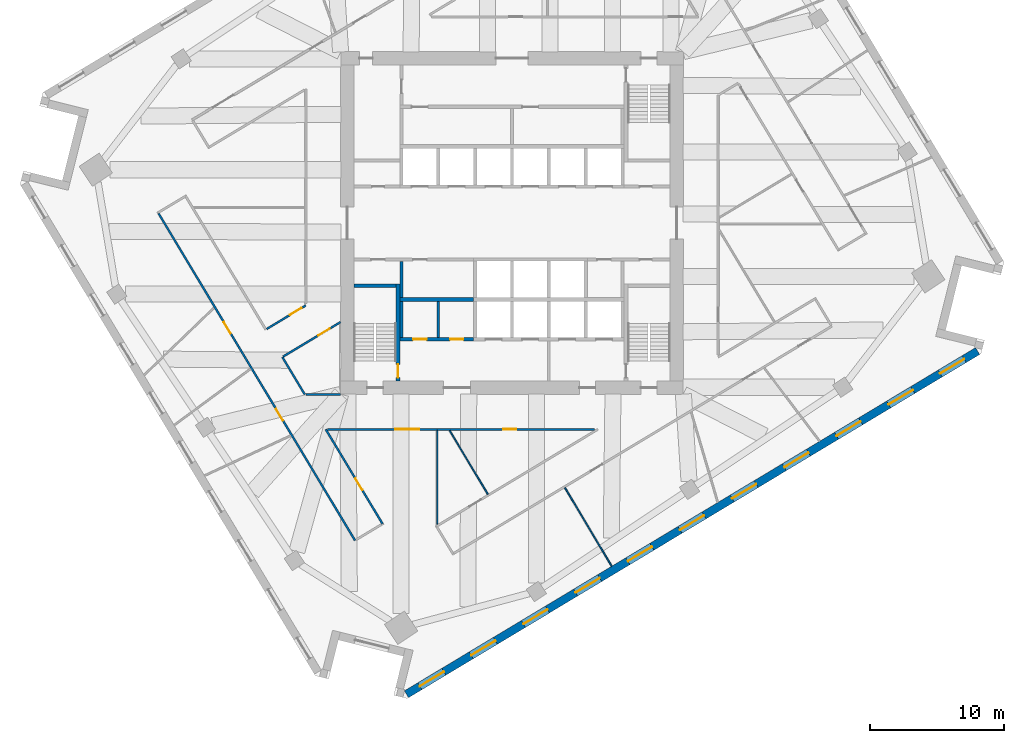
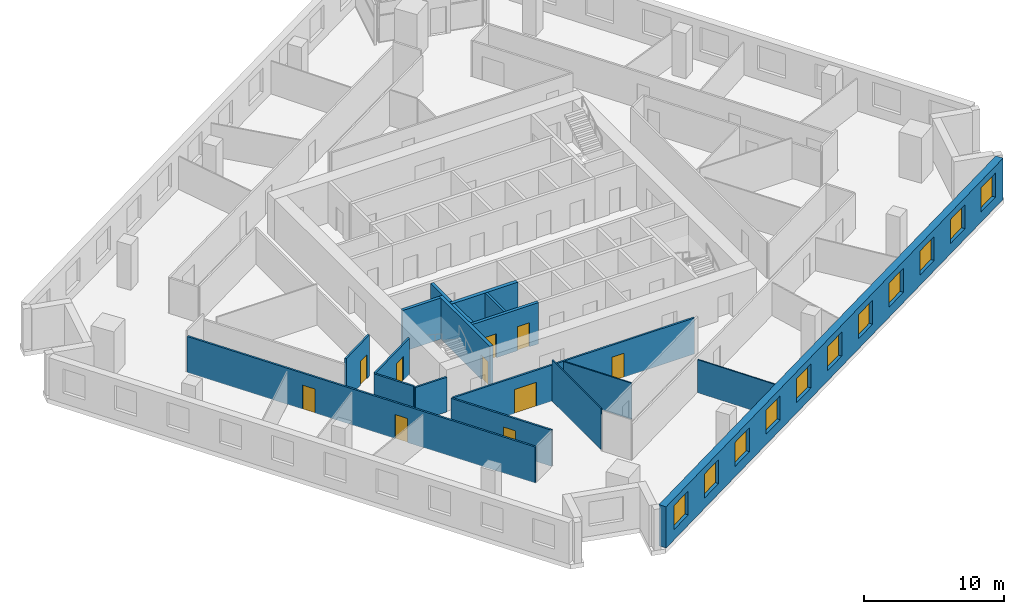
# One storey, part 6 of 14: 18 walls, 11 windows, 10 doors, 21 openings.
"""IFC4 building model written with IfcOpenShell, lengths in metres."""

from ifc_helpers import new_model, si_unit, direction, frame, frame_2d, origin, place, context, subcontext, project, spatial, rectangle, extrude, material, layer, layer_set, type_object, element, fill, save


model = new_model("IFC4")

# Units and contexts
model_context = context("Model", 3, precision=1e-05, world=origin(), true_north=direction((0.0, 1.0)))
body_context = subcontext(model_context, "Body", "Model", "MODEL_VIEW")
ifc_project = project(units=[si_unit("LENGTHUNIT", "METRE"), si_unit("AREAUNIT", "SQUARE_METRE"), si_unit("VOLUMEUNIT", "CUBIC_METRE"), si_unit("PLANEANGLEUNIT", "RADIAN"), si_unit("MASSUNIT", "GRAM", prefix="KILO")], contexts=[model_context])

# Site, building, storey
site_placement = place(None, origin())
site = spatial("IfcSite", under=ifc_project, at=site_placement, CompositionType="ELEMENT")
building_placement = place(site_placement, origin())
building = spatial("IfcBuilding", under=site, at=building_placement, Name="Dilmun Exchange Tower", CompositionType="ELEMENT")
storey_placement = place(building_placement, frame((0.0, 0.0, 151.699951171875)))
storey = spatial("IfcBuildingStorey", under=building, at=storey_placement, Name="L35", CompositionType="ELEMENT", Elevation=151.699951171875)

# Wall
ifc_material_1 = material(Name="Concrete C40/50", Category="concrete")
ifc_layer_1 = layer(ifc_material_1, 0.199951171875)
ifc_layer_set_1 = layer_set([ifc_layer_1], Name="Concrete C40/50")
wall_type_1 = type_object("IfcWallType", Name="Core partition wall 200", PredefinedType="PARTITIONING", material=ifc_layer_set_1)
wall_1_placement = place(storey_placement, frame((-5.5, -8.544921875, 0.0), z_axis=(0.0, 0.0, 1.0), x_axis=(0.0, 1.0, 0.0)))
element("IfcWall", 1, at=wall_1_placement, inside=storey, type_object=wall_type_1, Name="L35 core partition wall 04", PredefinedType="PARTITIONING", context=body_context, shape_type="SweptSolid", body=[
    extrude(rectangle(XDim=2.68994140625, YDim=0.199951171875, at=frame_2d((1.344970703125, 0.0))), origin(), (0.0, 0.0, 1.0), 3.60009765625),
])

# Wall, openings, doors
ifc_layer_2 = layer(ifc_material_1, 0.25)
ifc_layer_set_2 = layer_set([ifc_layer_2], Name="Concrete C40/50")
wall_type_2 = type_object("IfcWallType", Name="Core partition wall 250", PredefinedType="PARTITIONING", material=ifc_layer_set_2)
wall_2_placement = place(storey_placement, frame((-8.3701171875, -8.675048828125, 0.0), z_axis=(0.0, 0.0, 1.0), x_axis=(1.0, 0.0, 0.0)))
wall_2 = element("IfcWall", 2, at=wall_2_placement, inside=storey, type_object=wall_type_2, Name="L35 core partition wall 02", PredefinedType="PARTITIONING", context=body_context, shape_type="SweptSolid", body=[
    extrude(rectangle(XDim=5.490234375, YDim=0.25, at=frame_2d((2.7451171875, 0.0))), origin(), (0.0, 0.0, 1.0), 3.60009765625),
])
opening_1_placement = place(wall_2_placement, frame((0.9951171875, 0.0, 0.0)))
opening_1 = element("IfcOpeningElement", 3, at=opening_1_placement, cuts=wall_2, Name="Opening CD4", PredefinedType="OPENING", context=body_context, shape_type="SweptSolid", body=[
    extrude(rectangle(XDim=1.0, YDim=2.10009765625, at=frame_2d((0.5, 1.050048828125))), frame((0.0, 0.135009765625, 0.0), z_axis=(0.0, -1.0, 0.0), x_axis=(1.0, 0.0, 0.0)), (0.0, 0.0, 1.0), 0.27001953125),
])
opening_2_placement = place(wall_2_placement, frame((3.7451171875, 0.0, 0.0)))
opening_2 = element("IfcOpeningElement", 4, at=opening_2_placement, cuts=wall_2, Name="Opening CD4", PredefinedType="OPENING", context=body_context, shape_type="SweptSolid", body=[
    extrude(rectangle(XDim=1.0, YDim=2.10009765625, at=frame_2d((0.5, 1.050048828125))), frame((0.0, 0.135009765625, 0.0), z_axis=(0.0, -1.0, 0.0), x_axis=(1.0, 0.0, 0.0)), (0.0, 0.0, 1.0), 0.27001953125),
])
ifc_material_2 = material(Name="Fire-rated steel door set", Category="steel")
door_type_1 = type_object("IfcDoorType", Name="Core room door 1000x2100", OperationType="SINGLE_SWING_LEFT", PredefinedType="DOOR", material=ifc_material_2)
door_1_placement = place(opening_1_placement, origin())
door_1 = element("IfcDoor", 5, at=door_1_placement, inside=storey, type_object=door_type_1, Name="L35 door Male WC", OperationType="SINGLE_SWING_RIGHT", OverallHeight=2.10009765625, OverallWidth=1.0, PredefinedType="DOOR", context=body_context, shape_type="SweptSolid", body=[
    extrude(rectangle(XDim=1.0, YDim=2.10009765625, at=frame_2d((0.5, 1.050048828125))), frame((0.0, 0.02490234375, 0.0), z_axis=(0.0, -1.0, 0.0), x_axis=(1.0, 0.0, 0.0)), (0.0, 0.0, 1.0), 0.050048828125),
])
fill(opening_1, door_1)
door_2_placement = place(opening_2_placement, origin())
door_2 = element("IfcDoor", 6, at=door_2_placement, inside=storey, type_object=door_type_1, Name="L35 door Female WC", OperationType="SINGLE_SWING_RIGHT", OverallHeight=2.10009765625, OverallWidth=1.0, PredefinedType="DOOR", context=body_context, shape_type="SweptSolid", body=[
    extrude(rectangle(XDim=1.0, YDim=2.10009765625, at=frame_2d((0.5, 1.050048828125))), frame((0.0, 0.02490234375, 0.0), z_axis=(0.0, -1.0, 0.0), x_axis=(1.0, 0.0, 0.0)), (0.0, 0.0, 1.0), 0.050048828125),
])
fill(opening_2, door_2)

# Walls
for number, where, z_axis, x_axis, name in (
    (7, (-8.25, -8.544921875, 0.0), (0.0, 0.0, 1.0), (0.0, 1.0, 0.0), "L35 core partition wall 03"),
    (8, (-8.25, -5.544921875, 0.0), (0.0, 0.0, 1.0), (0.0, 1.0, 0.0), "L35 core partition wall 06"),
):
    element("IfcWall", number, at=place(storey_placement, frame(where, z_axis=z_axis, x_axis=x_axis)), inside=storey, type_object=wall_type_2, Name=name, PredefinedType="PARTITIONING", context=body_context, shape_type="SweptSolid", body=[
        extrude(rectangle(XDim=2.68994140625, YDim=0.25, at=frame_2d((1.344970703125, 0.0))), origin(), (0.0, 0.0, 1.0), 3.60009765625),
    ])
ifc_layer_3 = layer(ifc_material_1, 0.300048828125)
ifc_layer_set_3 = layer_set([ifc_layer_3], Name="Concrete C40/50")
wall_type_3 = type_object("IfcWallType", Name="Core partition wall 300", PredefinedType="PARTITIONING", material=ifc_layer_set_3)
wall_3_placement = place(storey_placement, frame((-8.35009765625, -5.699951171875, 0.0), z_axis=(0.0, 0.0, 1.0), x_axis=(1.0, 0.0, 0.0)))
element("IfcWall", 9, at=wall_3_placement, inside=storey, type_object=wall_type_3, Name="L35 core partition wall 05", PredefinedType="PARTITIONING", context=body_context, shape_type="SweptSolid", body=[
    extrude(rectangle(XDim=5.47021484375, YDim=0.300048828125, at=frame_2d((2.735107421875, 0.0))), origin(), (0.0, 0.0, 1.0), 3.60009765625),
])

# Wall, openings, doors
ifc_material_3 = material(Name="Corridor wall 150")
ifc_layer_4 = layer(ifc_material_3, 0.14990234375)
ifc_layer_set_4 = layer_set([ifc_layer_4], Name="Corridor wall 150")
wall_type_4 = type_object("IfcWallType", Name="Corridor wall 150", PredefinedType="PARTITIONING", material=ifc_layer_set_4)
wall_4_placement = place(storey_placement, frame((-26.388427734375, 0.710693359375, 0.0), z_axis=(0.0, 0.0, 1.0), x_axis=(0.515060503771, -0.857153823684, 0.0)))
wall_4 = element("IfcWall", 10, at=wall_4_placement, inside=storey, type_object=wall_type_4, Name="Corridor wall", PredefinedType="PARTITIONING", context=body_context, shape_type="SweptSolid", body=[
    extrude(rectangle(XDim=28.475341796875, YDim=0.14990234375, at=frame_2d((14.23779296875, 0.0))), origin(), (0.0, 0.0, 1.0), 3.150146484375),
])
opening_3_placement = place(wall_4_placement, frame((9.447265625, 0.0, 0.0)))
opening_3 = element("IfcOpeningElement", 11, at=opening_3_placement, cuts=wall_4, Name="Opening TF34-D03", PredefinedType="OPENING", context=body_context, shape_type="SweptSolid", body=[
    extrude(rectangle(XDim=1.0, YDim=2.10009765625, at=frame_2d((0.5, 1.050048828125))), frame((0.0, 0.0849609375, 0.0), z_axis=(0.0, -1.0, 0.0), x_axis=(1.0, 0.0, 0.0)), (0.0, 0.0, 1.0), 0.169921875),
])
opening_4_placement = place(wall_4_placement, frame((17.020751953125, 0.0, 0.0)))
opening_4 = element("IfcOpeningElement", 12, at=opening_4_placement, cuts=wall_4, Name="Opening TF34-D04", PredefinedType="OPENING", context=body_context, shape_type="SweptSolid", body=[
    extrude(rectangle(XDim=1.0, YDim=2.10009765625, at=frame_2d((0.5, 1.050048828125))), frame((0.0, 0.0849609375, 0.0), z_axis=(0.0, -1.0, 0.0), x_axis=(1.0, 0.0, 0.0)), (0.0, 0.0, 1.0), 0.169921875),
])
ifc_material_4 = material(Name="Fire door 1000 x 2100")
door_type_2 = type_object("IfcDoorType", Name="Fire door 1000 x 2100", OperationType="NOTDEFINED", PredefinedType="DOOR", material=ifc_material_4)
door_3_placement = place(opening_3_placement, frame((1.0, 0.0, 0.0), z_axis=(0.0, 0.0, 1.0), x_axis=(-1.0, 0.0, 0.0)))
door_3 = element("IfcDoor", 13, at=door_3_placement, inside=storey, type_object=door_type_2, Name="Door TF34-D03", OperationType="SINGLE_SWING_RIGHT", OverallHeight=2.10009765625, OverallWidth=1.0, PredefinedType="DOOR", context=body_context, shape_type="SweptSolid", body=[
    extrude(rectangle(XDim=1.0, YDim=2.10009765625, at=frame_2d((0.5, 1.050048828125))), frame((0.0, 0.02490234375, 0.0), z_axis=(0.0, -1.0, 0.0), x_axis=(1.0, 0.0, 0.0)), (0.0, 0.0, 1.0), 0.050048828125),
])
fill(opening_3, door_3)
door_4_placement = place(opening_4_placement, frame((1.0, 0.0, 0.0), z_axis=(0.0, 0.0, 1.0), x_axis=(-1.0, 0.0, 0.0)))
door_4 = element("IfcDoor", 14, at=door_4_placement, inside=storey, type_object=door_type_2, Name="Door TF34-D04", OperationType="SINGLE_SWING_LEFT", OverallHeight=2.10009765625, OverallWidth=1.0, PredefinedType="DOOR", context=body_context, shape_type="SweptSolid", body=[
    extrude(rectangle(XDim=1.0, YDim=2.10009765625, at=frame_2d((0.5, 1.050048828125))), frame((0.0, 0.02490234375, 0.0), z_axis=(0.0, -1.0, 0.0), x_axis=(1.0, 0.0, 0.0)), (0.0, 0.0, 1.0), 0.050048828125),
])
fill(opening_4, door_4)

# Wall, opening, door
wall_5_placement = place(storey_placement, frame((-18.32080078125, -7.911376953125, 0.0), z_axis=(0.0, 0.0, 1.0), x_axis=(0.857126069009, 0.51510668975, 0.0)))
wall_5 = element("IfcWall", 15, at=wall_5_placement, inside=storey, type_object=wall_type_4, Name="Corridor wall", PredefinedType="PARTITIONING", context=body_context, shape_type="SweptSolid", body=[
    extrude(rectangle(XDim=3.40771484375, YDim=0.14990234375, at=frame_2d((1.703857421875, 0.0))), origin(), (0.0, 0.0, 1.0), 3.60009765625),
])
opening_5_placement = place(wall_5_placement, frame((2.050048828125, 0.0, 0.0)))
opening_5 = element("IfcOpeningElement", 16, at=opening_5_placement, cuts=wall_5, Name="Opening TF34-D05", PredefinedType="OPENING", context=body_context, shape_type="SweptSolid", body=[
    extrude(rectangle(XDim=1.0, YDim=2.10009765625, at=frame_2d((0.5, 1.050048828125))), frame((0.0, 0.0849609375, 0.0), z_axis=(0.0, -1.0, 0.0), x_axis=(1.0, 0.0, 0.0)), (0.0, 0.0, 1.0), 0.169921875),
])
door_5_placement = place(opening_5_placement, origin())
door_5 = element("IfcDoor", 17, at=door_5_placement, inside=storey, type_object=door_type_2, Name="Door TF34-D05", OperationType="SINGLE_SWING_LEFT", OverallHeight=2.10009765625, OverallWidth=1.0, PredefinedType="DOOR", context=body_context, shape_type="SweptSolid", body=[
    extrude(rectangle(XDim=1.0, YDim=2.10009765625, at=frame_2d((0.5, 1.050048828125))), frame((0.0, 0.02490234375, 0.0), z_axis=(0.0, -1.0, 0.0), x_axis=(1.0, 0.0, 0.0)), (0.0, 0.0, 1.0), 0.050048828125),
])
fill(opening_5, door_5)

# Wall
wall_6_placement = place(storey_placement, frame((-17.14892578125, -10.007080078125, 0.0), z_axis=(0.0, 0.0, 1.0), x_axis=(0.515211704808, -0.857062949397, 0.0)))
element("IfcWall", 18, at=wall_6_placement, inside=storey, type_object=wall_type_4, Name="Corridor wall", PredefinedType="PARTITIONING", context=body_context, shape_type="SweptSolid", body=[
    extrude(rectangle(XDim=3.2587890625, YDim=0.14990234375, at=frame_2d((1.62939453125, 0.0))), origin(), (0.0, 0.0, 1.0), 3.150146484375),
])

# Wall, opening, door
wall_7_placement = place(storey_placement, frame((-17.084716796875, -9.968505859375, 0.0), z_axis=(0.0, 0.0, 1.0), x_axis=(0.857169540237, 0.515034347681, 0.0)))
wall_7 = element("IfcWall", 19, at=wall_7_placement, inside=storey, type_object=wall_type_4, Name="Corridor wall", PredefinedType="PARTITIONING", context=body_context, shape_type="SweptSolid", body=[
    extrude(rectangle(XDim=4.99853515625, YDim=0.14990234375, at=frame_2d((2.499267578125, 0.0))), origin(), (0.0, 0.0, 1.0), 3.150146484375),
])
opening_6_placement = place(wall_7_placement, frame((3.050048828125, 0.0, 0.0)))
opening_6 = element("IfcOpeningElement", 20, at=opening_6_placement, cuts=wall_7, Name="Opening TF34-D06", PredefinedType="OPENING", context=body_context, shape_type="SweptSolid", body=[
    extrude(rectangle(XDim=1.0, YDim=2.10009765625, at=frame_2d((0.5, 1.050048828125))), frame((0.0, 0.0849609375, 0.0), z_axis=(0.0, -1.0, 0.0), x_axis=(1.0, 0.0, 0.0)), (0.0, 0.0, 1.0), 0.169921875),
])
door_6_placement = place(opening_6_placement, frame((1.0, 0.0, 0.0), z_axis=(0.0, 0.0, 1.0), x_axis=(-1.0, 0.0, 0.0)))
door_6 = element("IfcDoor", 21, at=door_6_placement, inside=storey, type_object=door_type_2, Name="Door TF34-D06", OperationType="SINGLE_SWING_RIGHT", OverallHeight=2.10009765625, OverallWidth=1.0, PredefinedType="DOOR", context=body_context, shape_type="SweptSolid", body=[
    extrude(rectangle(XDim=1.0, YDim=2.10009765625, at=frame_2d((0.5, 1.050048828125))), frame((0.0, 0.02490234375, 0.0), z_axis=(0.0, -1.0, 0.0), x_axis=(1.0, 0.0, 0.0)), (0.0, 0.0, 1.0), 0.050048828125),
])
fill(opening_6, door_6)

# Wall
wall_8_placement = place(storey_placement, frame((-15.39990234375, -12.800048828125, 0.0), z_axis=(0.0, 0.0, 1.0), x_axis=(1.0, 0.0, 0.0)))
element("IfcWall", 22, at=wall_8_placement, inside=storey, type_object=wall_type_4, Name="Corridor wall", PredefinedType="PARTITIONING", context=body_context, shape_type="SweptSolid", body=[
    extrude(rectangle(XDim=2.599853515625, YDim=0.14990234375, at=frame_2d((1.2998046875, 0.0))), origin(), (0.0, 0.0, 1.0), 3.030029296875),
])

# Wall, opening, door
wall_9_placement = place(storey_placement, frame((-13.907958984375, -15.39990234375, 0.0), z_axis=(0.0, 0.0, 1.0), x_axis=(0.515057872285, -0.857155404928, 0.0)))
wall_9 = element("IfcWall", 23, at=wall_9_placement, inside=storey, type_object=wall_type_4, Name="Corridor wall", PredefinedType="PARTITIONING", context=body_context, shape_type="SweptSolid", body=[
    extrude(rectangle(XDim=8.23779296875, YDim=0.14990234375, at=frame_2d((4.118896484375, 0.0))), origin(), (0.0, 0.0, 1.0), 3.150146484375),
])
opening_7_placement = place(wall_9_placement, frame((4.300048828125, 0.0, 0.0)))
opening_7 = element("IfcOpeningElement", 24, at=opening_7_placement, cuts=wall_9, Name="Opening TF34-D09", PredefinedType="OPENING", context=body_context, shape_type="SweptSolid", body=[
    extrude(rectangle(XDim=1.0, YDim=2.10009765625, at=frame_2d((0.5, 1.050048828125))), frame((0.0, 0.0849609375, 0.0), z_axis=(0.0, -1.0, 0.0), x_axis=(1.0, 0.0, 0.0)), (0.0, 0.0, 1.0), 0.169921875),
])
door_7_placement = place(opening_7_placement, origin())
door_7 = element("IfcDoor", 25, at=door_7_placement, inside=storey, type_object=door_type_2, Name="Door TF34-D09", OperationType="SINGLE_SWING_LEFT", OverallHeight=2.10009765625, OverallWidth=1.0, PredefinedType="DOOR", context=body_context, shape_type="SweptSolid", body=[
    extrude(rectangle(XDim=1.0, YDim=2.10009765625, at=frame_2d((0.5, 1.050048828125))), frame((0.0, 0.02490234375, 0.0), z_axis=(0.0, -1.0, 0.0), x_axis=(1.0, 0.0, 0.0)), (0.0, 0.0, 1.0), 0.050048828125),
])
fill(opening_7, door_7)

# Wall, openings, doors
wall_10_placement = place(storey_placement, frame((-13.775390625, -15.39990234375, 0.0), z_axis=(0.0, 0.0, 1.0), x_axis=(1.0, 0.0, 0.0)))
wall_10 = element("IfcWall", 26, at=wall_10_placement, inside=storey, type_object=wall_type_4, Name="Corridor wall", PredefinedType="PARTITIONING", context=body_context, shape_type="SweptSolid", body=[
    extrude(rectangle(XDim=19.9169921875, YDim=0.14990234375, at=frame_2d((9.95849609375, 0.0))), origin(), (0.0, 0.0, 1.0), 3.150146484375),
])
opening_8_placement = place(wall_10_placement, frame((5.050048828125, 0.0, 0.0)))
opening_8 = element("IfcOpeningElement", 27, at=opening_8_placement, cuts=wall_10, Name="Opening TF34-D08", PredefinedType="OPENING", context=body_context, shape_type="SweptSolid", body=[
    extrude(rectangle(XDim=1.800048828125, YDim=2.10009765625, at=frame_2d((0.89990234375, 1.050048828125))), frame((0.0, 0.0849609375, 0.0), z_axis=(0.0, -1.0, 0.0), x_axis=(1.0, 0.0, 0.0)), (0.0, 0.0, 1.0), 0.169921875),
])
opening_9_placement = place(wall_10_placement, frame((13.1103515625, 0.0, 0.0)))
opening_9 = element("IfcOpeningElement", 28, at=opening_9_placement, cuts=wall_10, Name="Opening TF34-D13", PredefinedType="OPENING", context=body_context, shape_type="SweptSolid", body=[
    extrude(rectangle(XDim=1.0, YDim=2.10009765625, at=frame_2d((0.5, 1.050048828125))), frame((0.0, 0.0849609375, 0.0), z_axis=(0.0, -1.0, 0.0), x_axis=(1.0, 0.0, 0.0)), (0.0, 0.0, 1.0), 0.169921875),
])
door_8_placement = place(opening_9_placement, frame((1.0, 0.0, 0.0), z_axis=(0.0, 0.0, 1.0), x_axis=(-1.0, 0.0, 0.0)))
door_8 = element("IfcDoor", 29, at=door_8_placement, inside=storey, type_object=door_type_2, Name="Door TF34-D13", OperationType="SINGLE_SWING_LEFT", OverallHeight=2.10009765625, OverallWidth=1.0, PredefinedType="DOOR", context=body_context, shape_type="SweptSolid", body=[
    extrude(rectangle(XDim=1.0, YDim=2.10009765625, at=frame_2d((0.5, 1.050048828125))), frame((0.0, 0.02490234375, 0.0), z_axis=(0.0, -1.0, 0.0), x_axis=(1.0, 0.0, 0.0)), (0.0, 0.0, 1.0), 0.050048828125),
])
fill(opening_9, door_8)
ifc_material_5 = material(Name="Fire door pair 1800 x 2100")
door_type_3 = type_object("IfcDoorType", Name="Fire door pair 1800 x 2100", OperationType="NOTDEFINED", PredefinedType="DOOR", material=ifc_material_5)
door_9_placement = place(opening_8_placement, frame((1.800048828125, 0.0, 0.0), z_axis=(0.0, 0.0, 1.0), x_axis=(-1.0, 0.0, 0.0)))
door_9 = element("IfcDoor", 30, at=door_9_placement, inside=storey, type_object=door_type_3, Name="Door TF34-D08", OperationType="DOUBLE_DOOR_SINGLE_SWING", OverallHeight=2.10009765625, OverallWidth=1.800048828125, PredefinedType="DOOR", context=body_context, shape_type="SweptSolid", body=[
    extrude(rectangle(XDim=1.800048828125, YDim=2.10009765625, at=frame_2d((0.89990234375, 1.050048828125))), frame((0.0, 0.02490234375, 0.0), z_axis=(0.0, -1.0, 0.0), x_axis=(1.0, 0.0, 0.0)), (0.0, 0.0, 1.0), 0.050048828125),
])
fill(opening_8, door_9)

# Walls
ifc_material_6 = material(Name="Partition 100")
ifc_layer_5 = layer(ifc_material_6, 0.10009765625)
ifc_layer_set_5 = layer_set([ifc_layer_5], Name="Partition 100")
wall_type_5 = type_object("IfcWallType", Name="Partition 100", PredefinedType="PARTITIONING", material=ifc_layer_set_5)
wall_11_placement = place(storey_placement, frame((-5.5830078125, -22.489501953125, 0.0), z_axis=(0.0, 0.0, 1.0), x_axis=(0.0, 1.0, 0.0)))
element("IfcWall", 31, at=wall_11_placement, inside=storey, type_object=wall_type_5, Name="Partition", PredefinedType="PARTITIONING", context=body_context, shape_type="SweptSolid", body=[
    extrude(rectangle(XDim=7.014404296875, YDim=0.10009765625, at=frame_2d((3.50732421875, 0.0))), origin(), (0.0, 0.0, 1.0), 3.60009765625),
])
wall_12_placement = place(storey_placement, frame((-4.654296875, -15.500732421875, 0.0), z_axis=(0.0, 0.0, 1.0), x_axis=(0.515098514844, -0.857130981826, 0.0)))
element("IfcWall", 32, at=wall_12_placement, inside=storey, type_object=wall_type_5, Name="Partition", PredefinedType="PARTITIONING", context=body_context, shape_type="SweptSolid", body=[
    extrude(rectangle(XDim=5.538330078125, YDim=0.10009765625, at=frame_2d((2.76904296875, 0.0))), origin(), (0.0, 0.0, 1.0), 3.150146484375),
])
wall_13_placement = place(storey_placement, frame((3.95458984375, -19.7646484375, 0.0), z_axis=(0.0, 0.0, 1.0), x_axis=(0.511760762336, -0.859128001018, 0.0)))
element("IfcWall", 33, at=wall_13_placement, inside=storey, type_object=wall_type_5, Name="Partition", PredefinedType="PARTITIONING", context=body_context, shape_type="SweptSolid", body=[
    extrude(rectangle(XDim=6.819580078125, YDim=0.10009765625, at=frame_2d((3.40966796875, 0.0))), origin(), (0.0, 0.0, 1.0), 2.900146484375),
])

# Wall, openings, windows
ifc_material_7 = material(Name="Precast concrete C50/60", Category="concrete")
ifc_layer_6 = layer(ifc_material_7, 0.60009765625)
ifc_layer_set_6 = layer_set([ifc_layer_6], Name="Precast concrete C50/60")
wall_type_6 = type_object("IfcWallType", Name="Precast stone-clad wall 600", PredefinedType="STANDARD", material=ifc_layer_set_6)
wall_14_placement = place(storey_placement, frame((-7.880126953125, -35.18408203125, 0.0), z_axis=(0.0, 0.0, 1.0), x_axis=(0.857165846238, 0.515040495536, 0.0)))
wall_14 = element("IfcWall", 34, at=wall_14_placement, inside=storey, type_object=wall_type_6, Name="Facade wall L35-15", PredefinedType="STANDARD", context=body_context, shape_type="SweptSolid", body=[
    extrude(rectangle(XDim=49.75146484375, YDim=0.60009765625, at=frame_2d((24.875732421875, 0.0))), origin(), (0.0, 0.0, 1.0), 3.60009765625),
])
opening_10_placement = place(wall_14_placement, frame((1.16064453125, 0.0, 0.89990234375)))
opening_10 = element("IfcOpeningElement", 35, at=opening_10_placement, cuts=wall_14, Name="Opening W210-210", PredefinedType="OPENING", context=body_context, shape_type="SweptSolid", body=[
    extrude(rectangle(XDim=2.10009765625, YDim=2.10009765625, at=frame_2d((1.050048828125, 1.050048828125))), frame((0.0, 0.31005859375, 0.0), z_axis=(0.0, -1.0, 0.0), x_axis=(1.0, 0.0, 0.0)), (0.0, 0.0, 1.0), 0.6201171875),
])
opening_11_placement = place(wall_14_placement, frame((5.643798828125, 0.0, 0.89990234375)))
opening_11 = element("IfcOpeningElement", 36, at=opening_11_placement, cuts=wall_14, Name="Opening W210-210", PredefinedType="OPENING", context=body_context, shape_type="SweptSolid", body=[
    extrude(rectangle(XDim=2.10009765625, YDim=2.10009765625, at=frame_2d((1.050048828125, 1.050048828125))), frame((0.0, 0.31005859375, 0.0), z_axis=(0.0, -1.0, 0.0), x_axis=(1.0, 0.0, 0.0)), (0.0, 0.0, 1.0), 0.6201171875),
])
opening_12_placement = place(wall_14_placement, frame((10.189453125, 0.0, 0.89990234375)))
opening_12 = element("IfcOpeningElement", 37, at=opening_12_placement, cuts=wall_14, Name="Opening W210-210", PredefinedType="OPENING", context=body_context, shape_type="SweptSolid", body=[
    extrude(rectangle(XDim=2.10009765625, YDim=2.10009765625, at=frame_2d((1.050048828125, 1.050048828125))), frame((0.0, 0.31005859375, 0.0), z_axis=(0.0, -1.0, 0.0), x_axis=(1.0, 0.0, 0.0)), (0.0, 0.0, 1.0), 0.6201171875),
])
opening_13_placement = place(wall_14_placement, frame((14.73486328125, 0.0, 0.89990234375)))
opening_13 = element("IfcOpeningElement", 38, at=opening_13_placement, cuts=wall_14, Name="Opening W210-210", PredefinedType="OPENING", context=body_context, shape_type="SweptSolid", body=[
    extrude(rectangle(XDim=2.10009765625, YDim=2.10009765625, at=frame_2d((1.050048828125, 1.050048828125))), frame((0.0, 0.31005859375, 0.0), z_axis=(0.0, -1.0, 0.0), x_axis=(1.0, 0.0, 0.0)), (0.0, 0.0, 1.0), 0.6201171875),
])
opening_14_placement = place(wall_14_placement, frame((19.2802734375, 0.0, 0.89990234375)))
opening_14 = element("IfcOpeningElement", 39, at=opening_14_placement, cuts=wall_14, Name="Opening W210-210", PredefinedType="OPENING", context=body_context, shape_type="SweptSolid", body=[
    extrude(rectangle(XDim=2.10009765625, YDim=2.10009765625, at=frame_2d((1.050048828125, 1.050048828125))), frame((0.0, 0.31005859375, 0.0), z_axis=(0.0, -1.0, 0.0), x_axis=(1.0, 0.0, 0.0)), (0.0, 0.0, 1.0), 0.6201171875),
])
opening_15_placement = place(wall_14_placement, frame((23.82568359375, 0.0, 0.89990234375)))
opening_15 = element("IfcOpeningElement", 40, at=opening_15_placement, cuts=wall_14, Name="Opening W210-210", PredefinedType="OPENING", context=body_context, shape_type="SweptSolid", body=[
    extrude(rectangle(XDim=2.10009765625, YDim=2.10009765625, at=frame_2d((1.050048828125, 1.050048828125))), frame((0.0, 0.31005859375, 0.0), z_axis=(0.0, -1.0, 0.0), x_axis=(1.0, 0.0, 0.0)), (0.0, 0.0, 1.0), 0.6201171875),
])
opening_16_placement = place(wall_14_placement, frame((28.37109375, 0.0, 0.89990234375)))
opening_16 = element("IfcOpeningElement", 41, at=opening_16_placement, cuts=wall_14, Name="Opening W210-210", PredefinedType="OPENING", context=body_context, shape_type="SweptSolid", body=[
    extrude(rectangle(XDim=2.10009765625, YDim=2.10009765625, at=frame_2d((1.050048828125, 1.050048828125))), frame((0.0, 0.31005859375, 0.0), z_axis=(0.0, -1.0, 0.0), x_axis=(1.0, 0.0, 0.0)), (0.0, 0.0, 1.0), 0.6201171875),
])
opening_17_placement = place(wall_14_placement, frame((32.91650390625, 0.0, 0.89990234375)))
opening_17 = element("IfcOpeningElement", 42, at=opening_17_placement, cuts=wall_14, Name="Opening W210-210", PredefinedType="OPENING", context=body_context, shape_type="SweptSolid", body=[
    extrude(rectangle(XDim=2.10009765625, YDim=2.10009765625, at=frame_2d((1.050048828125, 1.050048828125))), frame((0.0, 0.31005859375, 0.0), z_axis=(0.0, -1.0, 0.0), x_axis=(1.0, 0.0, 0.0)), (0.0, 0.0, 1.0), 0.6201171875),
])
opening_18_placement = place(wall_14_placement, frame((37.462158203125, 0.0, 0.89990234375)))
opening_18 = element("IfcOpeningElement", 43, at=opening_18_placement, cuts=wall_14, Name="Opening W210-210", PredefinedType="OPENING", context=body_context, shape_type="SweptSolid", body=[
    extrude(rectangle(XDim=2.10009765625, YDim=2.10009765625, at=frame_2d((1.050048828125, 1.050048828125))), frame((0.0, 0.31005859375, 0.0), z_axis=(0.0, -1.0, 0.0), x_axis=(1.0, 0.0, 0.0)), (0.0, 0.0, 1.0), 0.6201171875),
])
opening_19_placement = place(wall_14_placement, frame((42.007568359375, 0.0, 0.89990234375)))
opening_19 = element("IfcOpeningElement", 44, at=opening_19_placement, cuts=wall_14, Name="Opening W210-210", PredefinedType="OPENING", context=body_context, shape_type="SweptSolid", body=[
    extrude(rectangle(XDim=2.10009765625, YDim=2.10009765625, at=frame_2d((1.050048828125, 1.050048828125))), frame((0.0, 0.31005859375, 0.0), z_axis=(0.0, -1.0, 0.0), x_axis=(1.0, 0.0, 0.0)), (0.0, 0.0, 1.0), 0.6201171875),
])
opening_20_placement = place(wall_14_placement, frame((46.490966796875, 0.0, 0.89990234375)))
opening_20 = element("IfcOpeningElement", 45, at=opening_20_placement, cuts=wall_14, Name="Opening W210-210", PredefinedType="OPENING", context=body_context, shape_type="SweptSolid", body=[
    extrude(rectangle(XDim=2.10009765625, YDim=2.10009765625, at=frame_2d((1.050048828125, 1.050048828125))), frame((0.0, 0.31005859375, 0.0), z_axis=(0.0, -1.0, 0.0), x_axis=(1.0, 0.0, 0.0)), (0.0, 0.0, 1.0), 0.6201171875),
])
ifc_material_8 = material(Name="Clear low-emissivity glass in aluminium frame", Category="aluminium")
window_type = type_object("IfcWindowType", Name="Punched window 2100 x 2100", PartitioningType="DOUBLE_PANEL_VERTICAL", PredefinedType="WINDOW", material=ifc_material_8)
window_1_placement = place(opening_10_placement, origin())
window_1 = element("IfcWindow", 46, at=window_1_placement, inside=storey, type_object=window_type, Name="Window 16.1", OverallHeight=2.10009765625, OverallWidth=2.10009765625, PartitioningType="SINGLE_PANEL", PredefinedType="WINDOW", context=body_context, shape_type="SweptSolid", body=[
    extrude(rectangle(XDim=2.10009765625, YDim=2.10009765625, at=frame_2d((1.050048828125, 1.050048828125))), frame((0.0, 0.030029296875, 0.0), z_axis=(0.0, -1.0, 0.0), x_axis=(1.0, 0.0, 0.0)), (0.0, 0.0, 1.0), 0.06005859375),
])
fill(opening_10, window_1)
window_2_placement = place(opening_11_placement, origin())
window_2 = element("IfcWindow", 47, at=window_2_placement, inside=storey, type_object=window_type, Name="Window 16.2", OverallHeight=2.10009765625, OverallWidth=2.10009765625, PartitioningType="SINGLE_PANEL", PredefinedType="WINDOW", context=body_context, shape_type="SweptSolid", body=[
    extrude(rectangle(XDim=2.10009765625, YDim=2.10009765625, at=frame_2d((1.050048828125, 1.050048828125))), frame((0.0, 0.030029296875, 0.0), z_axis=(0.0, -1.0, 0.0), x_axis=(1.0, 0.0, 0.0)), (0.0, 0.0, 1.0), 0.06005859375),
])
fill(opening_11, window_2)
window_3_placement = place(opening_12_placement, origin())
window_3 = element("IfcWindow", 48, at=window_3_placement, inside=storey, type_object=window_type, Name="Window 16.3", OverallHeight=2.10009765625, OverallWidth=2.10009765625, PartitioningType="SINGLE_PANEL", PredefinedType="WINDOW", context=body_context, shape_type="SweptSolid", body=[
    extrude(rectangle(XDim=2.10009765625, YDim=2.10009765625, at=frame_2d((1.050048828125, 1.050048828125))), frame((0.0, 0.030029296875, 0.0), z_axis=(0.0, -1.0, 0.0), x_axis=(1.0, 0.0, 0.0)), (0.0, 0.0, 1.0), 0.06005859375),
])
fill(opening_12, window_3)
window_4_placement = place(opening_13_placement, origin())
window_4 = element("IfcWindow", 49, at=window_4_placement, inside=storey, type_object=window_type, Name="Window 16.4", OverallHeight=2.10009765625, OverallWidth=2.10009765625, PartitioningType="SINGLE_PANEL", PredefinedType="WINDOW", context=body_context, shape_type="SweptSolid", body=[
    extrude(rectangle(XDim=2.10009765625, YDim=2.10009765625, at=frame_2d((1.050048828125, 1.050048828125))), frame((0.0, 0.030029296875, 0.0), z_axis=(0.0, -1.0, 0.0), x_axis=(1.0, 0.0, 0.0)), (0.0, 0.0, 1.0), 0.06005859375),
])
fill(opening_13, window_4)
window_5_placement = place(opening_14_placement, origin())
window_5 = element("IfcWindow", 50, at=window_5_placement, inside=storey, type_object=window_type, Name="Window 16.5", OverallHeight=2.10009765625, OverallWidth=2.10009765625, PartitioningType="SINGLE_PANEL", PredefinedType="WINDOW", context=body_context, shape_type="SweptSolid", body=[
    extrude(rectangle(XDim=2.10009765625, YDim=2.10009765625, at=frame_2d((1.050048828125, 1.050048828125))), frame((0.0, 0.030029296875, 0.0), z_axis=(0.0, -1.0, 0.0), x_axis=(1.0, 0.0, 0.0)), (0.0, 0.0, 1.0), 0.06005859375),
])
fill(opening_14, window_5)
window_6_placement = place(opening_15_placement, origin())
window_6 = element("IfcWindow", 51, at=window_6_placement, inside=storey, type_object=window_type, Name="Window 16.6", OverallHeight=2.10009765625, OverallWidth=2.10009765625, PartitioningType="SINGLE_PANEL", PredefinedType="WINDOW", context=body_context, shape_type="SweptSolid", body=[
    extrude(rectangle(XDim=2.10009765625, YDim=2.10009765625, at=frame_2d((1.050048828125, 1.050048828125))), frame((0.0, 0.030029296875, 0.0), z_axis=(0.0, -1.0, 0.0), x_axis=(1.0, 0.0, 0.0)), (0.0, 0.0, 1.0), 0.06005859375),
])
fill(opening_15, window_6)
window_7_placement = place(opening_16_placement, origin())
window_7 = element("IfcWindow", 52, at=window_7_placement, inside=storey, type_object=window_type, Name="Window 16.7", OverallHeight=2.10009765625, OverallWidth=2.10009765625, PartitioningType="SINGLE_PANEL", PredefinedType="WINDOW", context=body_context, shape_type="SweptSolid", body=[
    extrude(rectangle(XDim=2.10009765625, YDim=2.10009765625, at=frame_2d((1.050048828125, 1.050048828125))), frame((0.0, 0.030029296875, 0.0), z_axis=(0.0, -1.0, 0.0), x_axis=(1.0, 0.0, 0.0)), (0.0, 0.0, 1.0), 0.06005859375),
])
fill(opening_16, window_7)
window_8_placement = place(opening_17_placement, origin())
window_8 = element("IfcWindow", 53, at=window_8_placement, inside=storey, type_object=window_type, Name="Window 16.8", OverallHeight=2.10009765625, OverallWidth=2.10009765625, PartitioningType="SINGLE_PANEL", PredefinedType="WINDOW", context=body_context, shape_type="SweptSolid", body=[
    extrude(rectangle(XDim=2.10009765625, YDim=2.10009765625, at=frame_2d((1.050048828125, 1.050048828125))), frame((0.0, 0.030029296875, 0.0), z_axis=(0.0, -1.0, 0.0), x_axis=(1.0, 0.0, 0.0)), (0.0, 0.0, 1.0), 0.06005859375),
])
fill(opening_17, window_8)
window_9_placement = place(opening_18_placement, origin())
window_9 = element("IfcWindow", 54, at=window_9_placement, inside=storey, type_object=window_type, Name="Window 16.9", OverallHeight=2.10009765625, OverallWidth=2.10009765625, PartitioningType="SINGLE_PANEL", PredefinedType="WINDOW", context=body_context, shape_type="SweptSolid", body=[
    extrude(rectangle(XDim=2.10009765625, YDim=2.10009765625, at=frame_2d((1.050048828125, 1.050048828125))), frame((0.0, 0.030029296875, 0.0), z_axis=(0.0, -1.0, 0.0), x_axis=(1.0, 0.0, 0.0)), (0.0, 0.0, 1.0), 0.06005859375),
])
fill(opening_18, window_9)
window_10_placement = place(opening_19_placement, origin())
window_10 = element("IfcWindow", 55, at=window_10_placement, inside=storey, type_object=window_type, Name="Window 16.10", OverallHeight=2.10009765625, OverallWidth=2.10009765625, PartitioningType="SINGLE_PANEL", PredefinedType="WINDOW", context=body_context, shape_type="SweptSolid", body=[
    extrude(rectangle(XDim=2.10009765625, YDim=2.10009765625, at=frame_2d((1.050048828125, 1.050048828125))), frame((0.0, 0.030029296875, 0.0), z_axis=(0.0, -1.0, 0.0), x_axis=(1.0, 0.0, 0.0)), (0.0, 0.0, 1.0), 0.06005859375),
])
fill(opening_19, window_10)
window_11_placement = place(opening_20_placement, origin())
window_11 = element("IfcWindow", 56, at=window_11_placement, inside=storey, type_object=window_type, Name="Window 16.11", OverallHeight=2.10009765625, OverallWidth=2.10009765625, PartitioningType="SINGLE_PANEL", PredefinedType="WINDOW", context=body_context, shape_type="SweptSolid", body=[
    extrude(rectangle(XDim=2.10009765625, YDim=2.10009765625, at=frame_2d((1.050048828125, 1.050048828125))), frame((0.0, 0.030029296875, 0.0), z_axis=(0.0, -1.0, 0.0), x_axis=(1.0, 0.0, 0.0)), (0.0, 0.0, 1.0), 0.06005859375),
])
fill(opening_20, window_11)

# Wall
ifc_layer_7 = layer(ifc_material_1, 0.25)
ifc_layer_set_7 = layer_set([ifc_layer_7], Name="Concrete C40/50")
wall_type_7 = type_object("IfcWallType", Name="Stair end wall 250", PredefinedType="SOLIDWALL", material=ifc_layer_set_7)
wall_15_placement = place(storey_placement, frame((-8.64990234375, -4.675048828125, 0.0), z_axis=(0.0, 0.0, 1.0), x_axis=(-1.0, 0.0, 0.0)))
element("IfcWall", 57, at=wall_15_placement, inside=storey, type_object=wall_type_7, Name="L35 ST2 far wall", PredefinedType="SOLIDWALL", context=body_context, shape_type="SweptSolid", body=[
    extrude(rectangle(XDim=3.150146484375, YDim=0.25, at=frame_2d((1.5751953125, 0.0))), origin(), (0.0, 0.0, 1.0), 3.60009765625),
])

# Wall, opening, door
ifc_layer_8 = layer(ifc_material_1, 0.27490234375)
ifc_layer_set_8 = layer_set([ifc_layer_8], Name="Concrete C40/50")
wall_type_8 = type_object("IfcWallType", Name="Stair wall 275", PredefinedType="SOLIDWALL", material=ifc_layer_set_8)
wall_16_placement = place(storey_placement, frame((-8.512451171875, -4.550048828125, 0.0), z_axis=(0.0, 0.0, 1.0), x_axis=(0.0, -1.0, 0.0)))
wall_16 = element("IfcWall", 58, at=wall_16_placement, inside=storey, type_object=wall_type_8, Name="L35 ST2 wall to lift block", PredefinedType="SOLIDWALL", context=body_context, shape_type="SweptSolid", body=[
    extrude(rectangle(XDim=7.25, YDim=0.27490234375, at=frame_2d((3.625, 0.0))), origin(), (0.0, 0.0, 1.0), 3.60009765625),
])
opening_21_placement = place(wall_16_placement, frame((6.0, 0.0, 0.0)))
opening_21 = element("IfcOpeningElement", 59, at=opening_21_placement, cuts=wall_16, Name="Opening CD4", PredefinedType="OPENING", context=body_context, shape_type="SweptSolid", body=[
    extrude(rectangle(XDim=1.0, YDim=2.10009765625, at=frame_2d((0.5, 1.050048828125))), frame((0.0, 0.1474609375, 0.0), z_axis=(0.0, -1.0, 0.0), x_axis=(1.0, 0.0, 0.0)), (0.0, 0.0, 1.0), 0.294921875),
])
door_10_placement = place(opening_21_placement, origin())
door_10 = element("IfcDoor", 60, at=door_10_placement, inside=storey, type_object=door_type_1, Name="L35 door ST2 from lobby", OperationType="SINGLE_SWING_LEFT", OverallHeight=2.10009765625, OverallWidth=1.0, PredefinedType="DOOR", context=body_context, shape_type="SweptSolid", body=[
    extrude(rectangle(XDim=1.0, YDim=2.10009765625, at=frame_2d((0.5, 1.050048828125))), frame((0.0, 0.02490234375, 0.0), z_axis=(0.0, -1.0, 0.0), x_axis=(1.0, 0.0, 0.0)), (0.0, 0.0, 1.0), 0.050048828125),
])
fill(opening_21, door_10)

save(model, "model.ifc")
